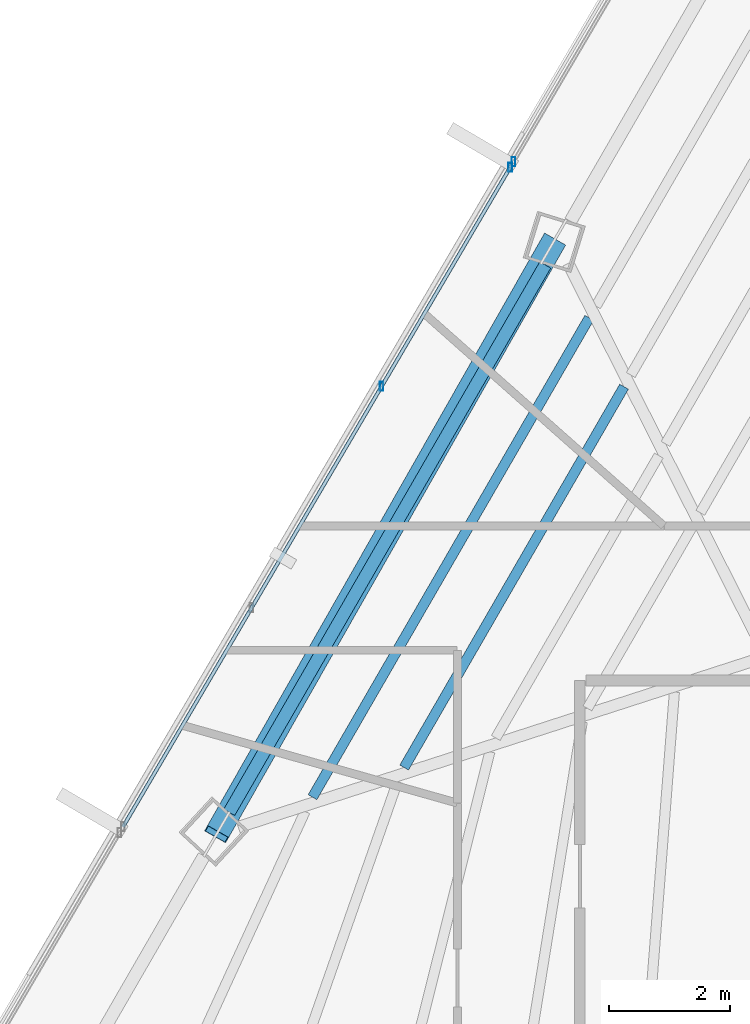
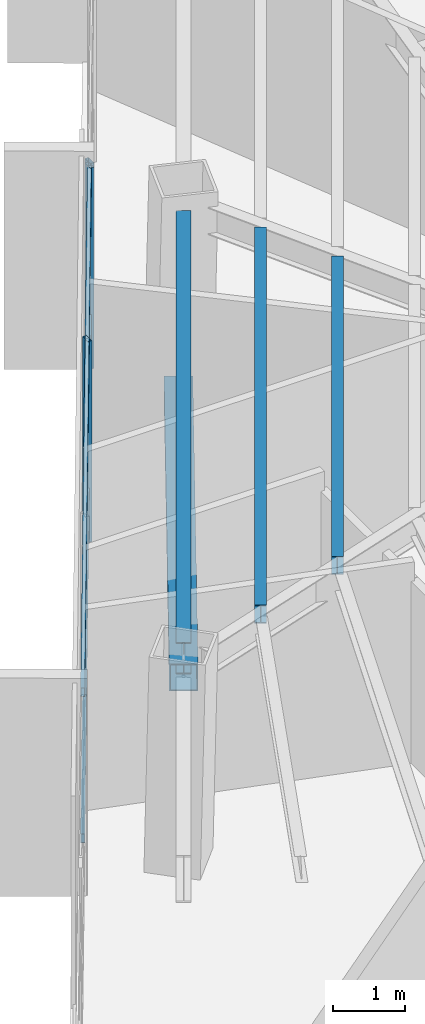
# One storey, part 16 of 42: 6 members, 3 beams, 2 elements without a shape of their own.
"""IFC4 building model written with IfcOpenShell, lengths in metres."""

from ifc_helpers import new_model, si_unit, direction, frame, origin, origin_2d, place, context, subcontext, project, spatial, hollow_rectangle, i_section, extrude, source, transform, mapped, material, material_profile, profile_set, type_object, type_shapes, element, aggregate, save


model = new_model("IFC4")

# Units and contexts
model_context = context("Model", 3, precision=1e-05, world=origin(), true_north=direction((0.0, 1.0)))
body_context = subcontext(model_context, "Body", "Model", "MODEL_VIEW")
ifc_project = project(units=[si_unit("LENGTHUNIT", "METRE"), si_unit("AREAUNIT", "SQUARE_METRE"), si_unit("VOLUMEUNIT", "CUBIC_METRE"), si_unit("PLANEANGLEUNIT", "RADIAN"), si_unit("MASSUNIT", "GRAM", prefix="KILO")], contexts=[model_context])

# Site, building, storey
site_placement = place(None, origin())
site = spatial("IfcSite", under=ifc_project, at=site_placement, CompositionType="ELEMENT")
building_placement = place(site_placement, origin())
building = spatial("IfcBuilding", under=site, at=building_placement, Name="Caelisora Broadcast Tower", CompositionType="ELEMENT")
storey_placement = place(building_placement, frame((0.0, 0.0, 191.35009765625)))
storey = spatial("IfcBuildingStorey", under=building, at=storey_placement, Name="L50", CompositionType="ELEMENT", Elevation=191.35009765625)

# Beams
ifc_material_1 = material(Name="Steel Grade 350 (AS/NZS 3679.1)", Category="steel")
ifc_material_profile_1 = material_profile(ifc_material_1, i_section(OverallWidth=0.208984375, OverallDepth=0.532958984375, WebThickness=0.01025390625, FlangeThickness=0.015625, at=origin_2d()), Name="Steel Grade 350 (AS/NZS 3679.1)")
ifc_profile_set_1 = profile_set([ifc_material_profile_1], Name="Steel Grade 350 (AS/NZS 3679.1)")
beam_type_1 = type_object("IfcBeamType", Name="PG05", PredefinedType="BEAM", material=ifc_profile_set_1)
shared_shape_1 = source(origin(), body_context, "Body", "SweptSolid", [
    extrude(i_section(OverallWidth=0.208984375, OverallDepth=0.532958984375, WebThickness=0.01025390625, FlangeThickness=0.015625, at=origin_2d()), origin(), (0.0, 0.0, 1.0), 10.426025390625),
])
type_shapes(beam_type_1, [shared_shape_1])
beam_1_placement = place(storey_placement, frame((26.850341796875, 36.456787109375, 3.13330078125), z_axis=(-0.49998731371, -0.866032728093, 0.0), x_axis=(0.866032728093, -0.49998731371, 0.0)))
element("IfcBeam", 1, at=beam_1_placement, inside=storey, type_object=beam_type_1, Name="L50 beam PG05", PredefinedType="BEAM", context=body_context, shape_type="MappedRepresentation", body=[
    mapped(shared_shape_1, transform((0.0, 0.0, 0.0), scale=1.0)),
])
ifc_material_profile_2 = material_profile(ifc_material_1, i_section(OverallWidth=0.166015625, OverallDepth=0.30712890625, WebThickness=0.006591796875, FlangeThickness=0.01171875, at=origin_2d()), Name="Steel Grade 350 (AS/NZS 3679.1)")
ifc_profile_set_2 = profile_set([ifc_material_profile_2], Name="Steel Grade 350 (AS/NZS 3679.1)")
beam_type_2 = type_object("IfcBeamType", Name="SB03", PredefinedType="JOIST", material=ifc_profile_set_2)
shared_shape_2 = source(origin(), body_context, "Body", "SweptSolid", [
    extrude(i_section(OverallWidth=0.166015625, OverallDepth=0.30712890625, WebThickness=0.006591796875, FlangeThickness=0.01171875, at=origin_2d()), origin(), (0.0, 0.0, 1.0), 7.254638671875),
])
beam_2_placement = place(storey_placement, frame((28.14990234375, 34.448486328125, 3.246337890625), z_axis=(-0.499986576645, -0.866033153623, 0.0), x_axis=(0.866033153623, -0.499986576645, 0.0)))
element("IfcBeam", 2, at=beam_2_placement, inside=storey, type_object=beam_type_2, Name="L50 beam SB03", PredefinedType="JOIST", context=body_context, shape_type="MappedRepresentation", body=[
    mapped(shared_shape_2, transform((0.0, 0.0, 0.0), scale=1.0)),
])
shared_shape_3 = source(origin(), body_context, "Body", "SweptSolid", [
    extrude(i_section(OverallWidth=0.166015625, OverallDepth=0.30712890625, WebThickness=0.006591796875, FlangeThickness=0.01171875, at=origin_2d()), origin(), (0.0, 0.0, 1.0), 9.131103515625),
])
type_shapes(beam_type_2, [shared_shape_2, shared_shape_3])
beam_3_placement = place(storey_placement, frame((27.576416015625, 35.584716796875, 3.246337890625), z_axis=(-0.499992475648, -0.866029747927, 0.0), x_axis=(0.866029747927, -0.499992475648, 0.0)))
element("IfcBeam", 3, at=beam_3_placement, inside=storey, type_object=beam_type_2, Name="L50 beam SB03", PredefinedType="JOIST", context=body_context, shape_type="MappedRepresentation", body=[
    mapped(shared_shape_3, transform((0.0, 0.0, 0.0), scale=1.0)),
])

# Member
ifc_material_2 = material(Name="Steel Grade 450 (AS/NZS 1163 C450L0)", Category="steel")
ifc_material_profile_3 = material_profile(ifc_material_2, hollow_rectangle(XDim=0.39990234375, YDim=0.39990234375, WallThickness=0.01611328125, at=origin_2d()), Name="Steel Grade 450 (AS/NZS 1163 C450L0)")
ifc_profile_set_3 = profile_set([ifc_material_profile_3], Name="Steel Grade 450 (AS/NZS 1163 C450L0)")
member_type_1 = type_object("IfcMemberType", Name="BR04", PredefinedType="BRACE", material=ifc_profile_set_3)
shared_shape_4 = source(origin(), body_context, "Body", "SweptSolid", [
    extrude(hollow_rectangle(XDim=0.39990234375, YDim=0.39990234375, WallThickness=0.01611328125, at=origin_2d()), origin(), (0.0, 0.0, 1.0), 11.635009765625),
])
type_shapes(member_type_1, [shared_shape_4])
member_1_placement = place(storey_placement, frame((26.987548828125, 36.8388671875, 0.099853515625), z_axis=(-0.47770352031, -0.839831577655, 0.257841555722), x_axis=(0.86922240912, -0.494421281382, 0.0)))
element("IfcMember", 4, at=member_1_placement, inside=storey, type_object=member_type_1, Name="L50 perimeter brace BR04", PredefinedType="BRACE", context=body_context, shape_type="MappedRepresentation", body=[
    mapped(shared_shape_4, transform((0.0, 0.0, 0.0), scale=1.0)),
])

# Curtain wall, members
ifc_material_3 = material(Name="Unitised Aluminium Insulated Shadow-Box Spandrel Curtain Wall", Category="aluminium")
curtain_wall_type_1 = type_object("IfcCurtainWallType", Name="CW-SP2", PredefinedType="NOTDEFINED", material=ifc_material_3)
curtain_wall_1_placement = place(storey_placement, origin())
curtain_wall_1 = element("IfcCurtainWall", 5, at=curtain_wall_1_placement, inside=storey, type_object=curtain_wall_type_1, Name="L50 curtain wall CW-SP2", PredefinedType="NOTDEFINED")
ifc_material_4 = material(Name="Aluminium 6063-T6 Anodised Terracotta Bronze", Category="aluminium")
ifc_material_profile_4 = material_profile(ifc_material_4, hollow_rectangle(XDim=0.06005859375, YDim=0.14990234375, WallThickness=0.00341796875, at=origin_2d()), Name="Aluminium 6063-T6 Anodised Terracotta Bronze")
ifc_profile_set_4 = profile_set([ifc_material_profile_4], Name="Aluminium 6063-T6 Anodised Terracotta Bronze")
member_type_2 = type_object("IfcMemberType", Name="CWM-03", PredefinedType="MULLION", material=ifc_profile_set_4)
shared_shape_5 = source(origin(), body_context, "Body", "SweptSolid", [
    extrude(hollow_rectangle(XDim=0.06005859375, YDim=0.14990234375, WallThickness=0.00341796875, at=origin_2d()), origin(), (0.0, 0.0, 1.0), 3.39990234375),
])
type_shapes(member_type_2, [shared_shape_5])
member_2_placement = place(storey_placement, frame((24.151123046875, 34.453369140625, 0.0), z_axis=(0.0, 0.0, 1.0), x_axis=(1.0, 0.0, 0.0)))
member_2 = element("IfcMember", 6, at=member_2_placement, type_object=member_type_2, Name="L50-CW-B10 mullion #2", PredefinedType="MULLION", context=body_context, shape_type="MappedRepresentation", body=[
    mapped(shared_shape_5, transform((0.0, 0.0, 0.0), scale=1.0)),
])
member_3_placement = place(storey_placement, frame((26.271728515625, 38.065185546875, 0.0), z_axis=(0.0, 0.0, 1.0), x_axis=(1.0, 0.0, 0.0)))
member_3 = element("IfcMember", 7, at=member_3_placement, type_object=member_type_2, Name="L50-CW-B10 mullion #3", PredefinedType="MULLION", context=body_context, shape_type="MappedRepresentation", body=[
    mapped(shared_shape_5, transform((0.0, 0.0, 0.0), scale=1.0)),
])

# Curtain wall, member
ifc_material_5 = material(Name="Unitised Aluminium and Low-E Glass Curtain Wall", Category="glass")
curtain_wall_type_2 = type_object("IfcCurtainWallType", Name="CW-Z4", PredefinedType="NOTDEFINED", material=ifc_material_5)
curtain_wall_2_placement = place(storey_placement, origin())
curtain_wall_2 = element("IfcCurtainWall", 8, at=curtain_wall_2_placement, inside=storey, type_object=curtain_wall_type_2, Name="L50 curtain wall CW-Z4", PredefinedType="NOTDEFINED")
member_4_placement = place(storey_placement, frame((26.327392578125, 38.159912109375, 0.0), z_axis=(0.0, 0.0, 1.0), x_axis=(1.0, 0.0, 0.0)))
member_4 = element("IfcMember", 9, at=member_4_placement, type_object=member_type_2, Name="L50-CW-B11 mullion #0", PredefinedType="MULLION", context=body_context, shape_type="MappedRepresentation", body=[
    mapped(shared_shape_5, transform((0.0, 0.0, 0.0), scale=1.0)),
])
aggregate(curtain_wall_2, [member_4])

# Member
ifc_material_profile_5 = material_profile(ifc_material_4, hollow_rectangle(XDim=0.06005859375, YDim=0.14990234375, WallThickness=0.00341796875, at=origin_2d()), Name="Aluminium 6063-T6 Anodised Terracotta Bronze")
ifc_profile_set_5 = profile_set([ifc_material_profile_5], Name="Aluminium 6063-T6 Anodised Terracotta Bronze")
member_type_3 = type_object("IfcMemberType", Name="CWT-02", PredefinedType="USERDEFINED", material=ifc_profile_set_5)
shared_shape_6 = source(origin(), body_context, "Body", "SweptSolid", [
    extrude(hollow_rectangle(XDim=0.06005859375, YDim=0.14990234375, WallThickness=0.00341796875, at=origin_2d()), origin(), (0.0, 0.0, 1.0), 12.614990234375),
])
type_shapes(member_type_3, [shared_shape_6])
member_5_placement = place(storey_placement, frame((19.884521484375, 27.186767578125, 0.849853515625), z_axis=(0.506321350235, 0.862344878976, 0.0), x_axis=(-0.862344878976, 0.506321350235, 0.0)))
member_5 = element("IfcMember", 10, at=member_5_placement, type_object=member_type_3, Name="L50-CW-B10 transom #1", ObjectType="TRANSOM", PredefinedType="USERDEFINED", context=body_context, shape_type="MappedRepresentation", body=[
    mapped(shared_shape_6, transform((0.0, 0.0, 0.0), scale=1.0)),
])

member_6_placement = place(storey_placement, frame((19.884521484375, 27.186767578125, 3.31982421875), z_axis=(0.506321350235, 0.862344878976, 0.0), x_axis=(-0.862344878976, 0.506321350235, 0.0)))
member_6 = element("IfcMember", 11, at=member_6_placement, type_object=member_type_3, Name="L50-CW-B10 transom #2", ObjectType="TRANSOM", PredefinedType="USERDEFINED", context=body_context, shape_type="MappedRepresentation", body=[
    mapped(shared_shape_6, transform((0.0, 0.0, 0.0), scale=1.0)),
])

aggregate(curtain_wall_1, [member_2, member_3, member_5, member_6])

save(model, "model.ifc")
